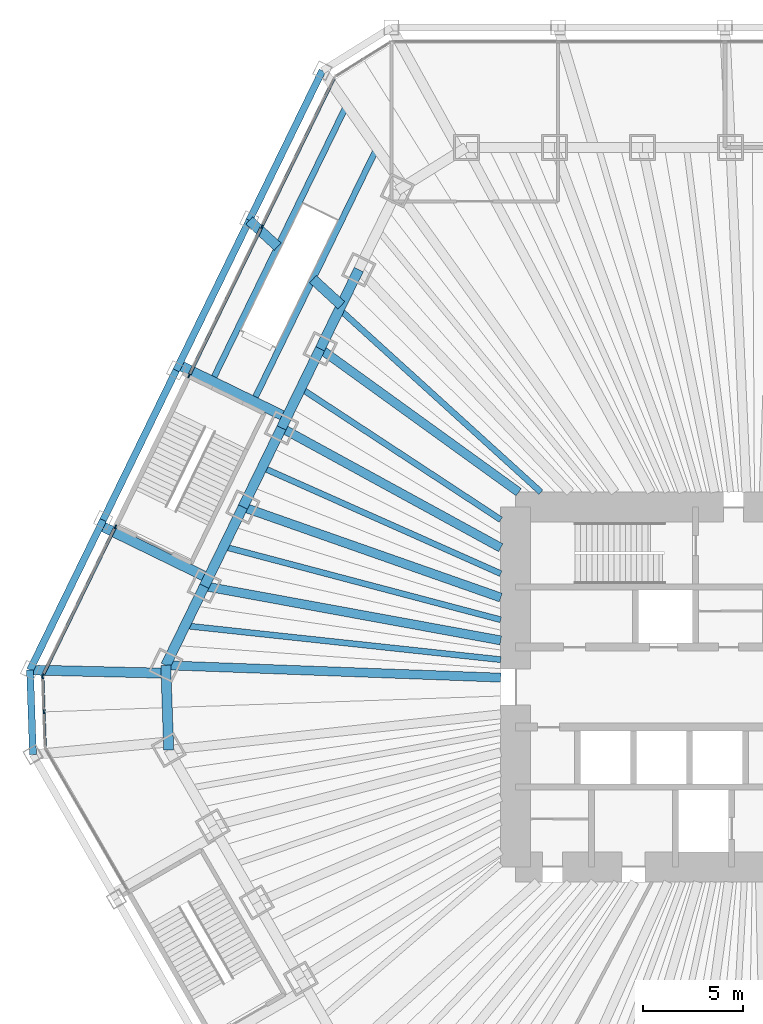
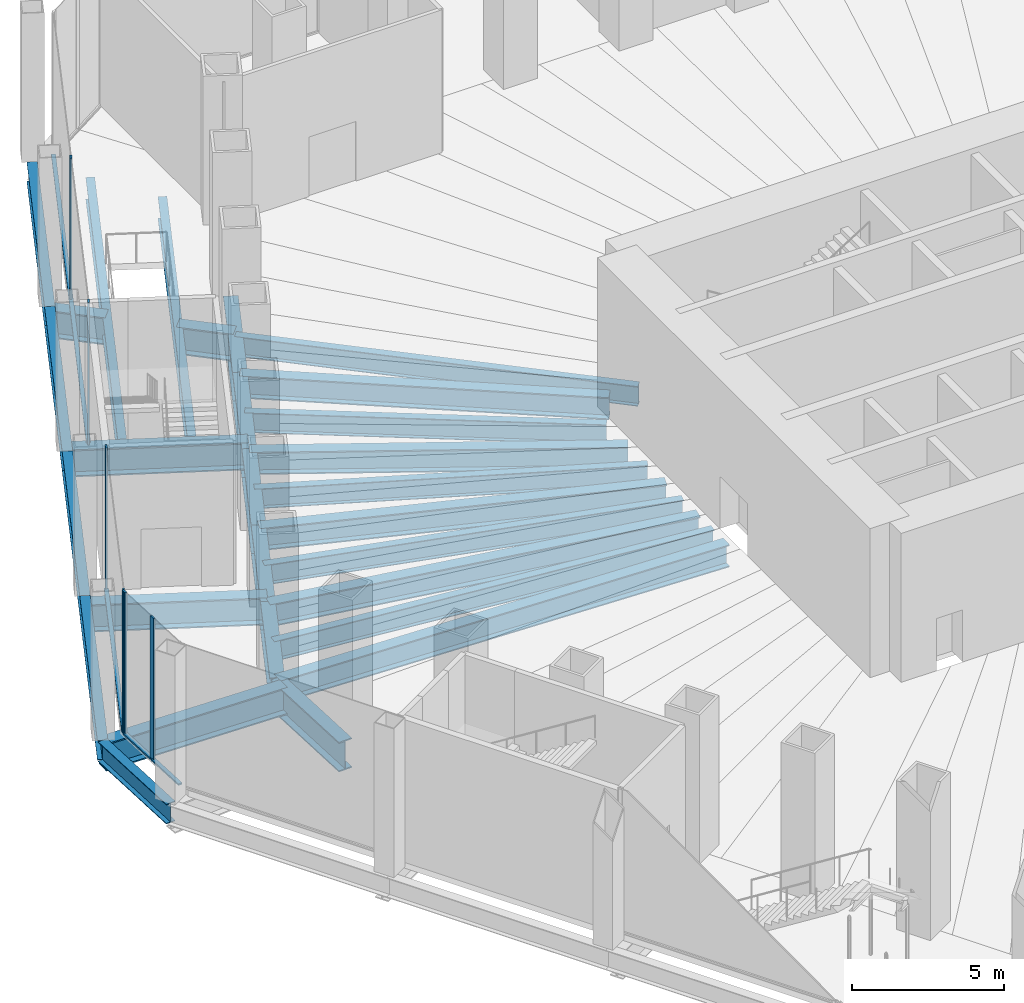
# One storey, part 9 of 23: 28 beams, 11 members, 3 elements without a shape of their own.
"""IFC4 building model written with IfcOpenShell, lengths in metres."""

from ifc_helpers import new_model, si_unit, direction, frame, origin, origin_2d, place, context, subcontext, project, spatial, rectangle, i_section, extrude, material, material_profile, profile_set, type_object, element, aggregate, save


model = new_model("IFC4")

# Units and contexts
model_context = context("Model", 3, precision=1e-05, world=origin(), true_north=direction((0.0, 1.0)))
body_context = subcontext(model_context, "Body", "Model", "MODEL_VIEW")
ifc_project = project(units=[si_unit("LENGTHUNIT", "METRE"), si_unit("AREAUNIT", "SQUARE_METRE"), si_unit("VOLUMEUNIT", "CUBIC_METRE"), si_unit("PLANEANGLEUNIT", "RADIAN"), si_unit("MASSUNIT", "GRAM", prefix="KILO")], contexts=[model_context])

# Site, building, storey
site_placement = place(None, origin())
site = spatial("IfcSite", under=ifc_project, at=site_placement, CompositionType="ELEMENT")
building_placement = place(site_placement, origin())
building = spatial("IfcBuilding", under=site, at=building_placement, Name="Qingtian Harvest Tower", CompositionType="ELEMENT")
storey_placement = place(building_placement, frame((0.0, 0.0, 6.0)))
storey = spatial("IfcBuildingStorey", under=building, at=storey_placement, Name="L01", CompositionType="ELEMENT", Elevation=6.0)

# Beams
ifc_material_1 = material(Name="Steel SM570MC", Category="steel")
ifc_material_profile_1 = material_profile(ifc_material_1, i_section(OverallWidth=0.449951171875, OverallDepth=0.89990234375, WebThickness=0.02197265625, FlangeThickness=0.044921875, at=origin_2d()), Name="H900x450x22x45")
ifc_profile_set_1 = profile_set([ifc_material_profile_1], Name="Steel SM570MC")
beam_type_1 = type_object("IfcBeamType", Name="Floor beam FB5 H900x450x22x45", PredefinedType="BEAM", material=ifc_profile_set_1)
beam_1_placement = place(storey_placement, frame((-29.5087890625, 1.08984375, -0.699951171875), z_axis=(0.999318796571, -0.036904509488, 0.0), x_axis=(0.036904509488, 0.999318796571, 0.0)))
element("IfcBeam", 1, at=beam_1_placement, inside=storey, type_object=beam_type_1, Name="Floor beam FB5 NW0", PredefinedType="BEAM", context=body_context, shape_type="SweptSolid", body=[
    extrude(i_section(OverallWidth=0.449951171875, OverallDepth=0.89990234375, WebThickness=0.02197265625, FlangeThickness=0.044921875, at=origin_2d()), origin(), (0.0, 0.0, 1.0), 16.770263671875),
])
beam_2_placement = place(storey_placement, frame((-27.577880859375, 5.048828125, -0.699951171875), z_axis=(0.98365177106, -0.180081074215, 0.0), x_axis=(0.180081074215, 0.98365177106, 0.0)))
element("IfcBeam", 2, at=beam_2_placement, inside=storey, type_object=beam_type_1, Name="Floor beam FB5 NW1", PredefinedType="BEAM", context=body_context, shape_type="SweptSolid", body=[
    extrude(i_section(OverallWidth=0.449951171875, OverallDepth=0.89990234375, WebThickness=0.02197265625, FlangeThickness=0.044921875, at=origin_2d()), origin(), (0.0, 0.0, 1.0), 15.07421875),
])
beam_3_placement = place(storey_placement, frame((-25.64697265625, 9.007568359375, -0.699951171875), z_axis=(0.943501950009, -0.331366972296, 0.0), x_axis=(0.331366972296, 0.943501950009, 0.0)))
element("IfcBeam", 3, at=beam_3_placement, inside=storey, type_object=beam_type_1, Name="Floor beam FB5 NW2", PredefinedType="BEAM", context=body_context, shape_type="SweptSolid", body=[
    extrude(i_section(OverallWidth=0.449951171875, OverallDepth=0.89990234375, WebThickness=0.02197265625, FlangeThickness=0.044921875, at=origin_2d()), origin(), (0.0, 0.0, 1.0), 13.669189453125),
])
beam_4_placement = place(storey_placement, frame((-23.716064453125, 12.96630859375, -0.699951171875), z_axis=(0.877428569154, -0.479707312882, 0.0), x_axis=(0.479707312882, 0.877428569154, 0.0)))
element("IfcBeam", 4, at=beam_4_placement, inside=storey, type_object=beam_type_1, Name="Floor beam FB5 NW3", PredefinedType="BEAM", context=body_context, shape_type="SweptSolid", body=[
    extrude(i_section(OverallWidth=0.449951171875, OverallDepth=0.89990234375, WebThickness=0.02197265625, FlangeThickness=0.044921875, at=origin_2d()), origin(), (0.0, 0.0, 1.0), 12.498046875),
])
beam_5_placement = place(storey_placement, frame((-21.78515625, 16.92529296875, -0.699951171875), z_axis=(0.810680279019, -0.585489099139, 0.0), x_axis=(0.585489099139, 0.810680279019, 0.0)))
element("IfcBeam", 5, at=beam_5_placement, inside=storey, type_object=beam_type_1, Name="Floor beam FB5 NW4", PredefinedType="BEAM", context=body_context, shape_type="SweptSolid", body=[
    extrude(i_section(OverallWidth=0.449951171875, OverallDepth=0.89990234375, WebThickness=0.02197265625, FlangeThickness=0.044921875, at=origin_2d()), origin(), (0.0, 0.0, 1.0), 12.255126953125),
])
ifc_material_2 = material(Name="Steel SM570MC", Category="steel")
ifc_material_profile_2 = material_profile(ifc_material_2, i_section(OverallWidth=0.5, OverallDepth=1.10009765625, WebThickness=0.02490234375, FlangeThickness=0.050048828125, at=origin_2d()), Name="H1100x500x25x50")
ifc_profile_set_2 = profile_set([ifc_material_profile_2], Name="Steel SM570MC")
beam_type_2 = type_object("IfcBeamType", Name="Floor beam FB6 H1100x500x25x50", PredefinedType="BEAM", material=ifc_profile_set_2)
beam_6_placement = place(storey_placement, frame((-36.300048828125, 0.852783203125, -0.800048828125), z_axis=(0.999724022167, -0.023492115754, 0.0), x_axis=(0.023492115754, 0.999724022167, 0.0)))
element("IfcBeam", 6, at=beam_6_placement, inside=storey, type_object=beam_type_2, Name="Podium floor beam FB6 NW0", PredefinedType="BEAM", context=body_context, shape_type="SweptSolid", body=[
    extrude(i_section(OverallWidth=0.5, OverallDepth=1.10009765625, WebThickness=0.02490234375, FlangeThickness=0.050048828125, at=origin_2d()), origin(), (0.0, 0.0, 1.0), 6.80712890625),
])
beam_7_placement = place(storey_placement, frame((-32.774658203125, 8.08056640625, -0.800048828125), z_axis=(0.898802465371, -0.438353884714, 0.0), x_axis=(0.438353884714, 0.898802465371, 0.0)))
element("IfcBeam", 7, at=beam_7_placement, inside=storey, type_object=beam_type_2, Name="Podium floor beam FB6 NW1", PredefinedType="BEAM", context=body_context, shape_type="SweptSolid", body=[
    extrude(i_section(OverallWidth=0.5, OverallDepth=1.10009765625, WebThickness=0.02490234375, FlangeThickness=0.050048828125, at=origin_2d()), origin(), (0.0, 0.0, 1.0), 6.0),
])
beam_8_placement = place(storey_placement, frame((-28.854736328125, 16.117431640625, -0.800048828125), z_axis=(0.898794646181, -0.438369916847, 0.0), x_axis=(0.438369916847, 0.898794646181, 0.0)))
element("IfcBeam", 8, at=beam_8_placement, inside=storey, type_object=beam_type_2, Name="Podium floor beam FB6 NW2", PredefinedType="BEAM", context=body_context, shape_type="SweptSolid", body=[
    extrude(i_section(OverallWidth=0.5, OverallDepth=1.10009765625, WebThickness=0.02490234375, FlangeThickness=0.050048828125, at=origin_2d()), origin(), (0.0, 0.0, 1.0), 5.999755859375),
])
beam_9_placement = place(storey_placement, frame((-25.32958984375, 23.345458984375, -0.800048828125), z_axis=(0.735278179195, -0.677765445563, 0.0), x_axis=(0.677765445563, 0.735278179195, 0.0)))
element("IfcBeam", 9, at=beam_9_placement, inside=storey, type_object=beam_type_2, Name="Podium floor beam FB6 NW3", PredefinedType="BEAM", context=body_context, shape_type="SweptSolid", body=[
    extrude(i_section(OverallWidth=0.5, OverallDepth=1.10009765625, WebThickness=0.02490234375, FlangeThickness=0.050048828125, at=origin_2d()), origin(), (0.0, 0.0, 1.0), 1.931396484375),
])
beam_10_placement = place(storey_placement, frame((-22.143798828125, 20.4091796875, -0.800048828125), z_axis=(0.735351053283, -0.677686379113, 0.0), x_axis=(0.677686379113, 0.735351053283, 0.0)))
element("IfcBeam", 10, at=beam_10_placement, inside=storey, type_object=beam_type_2, Name="Podium floor beam FB6 NW3 (beyond opening)", PredefinedType="BEAM", context=body_context, shape_type="SweptSolid", body=[
    extrude(i_section(OverallWidth=0.5, OverallDepth=1.10009765625, WebThickness=0.02490234375, FlangeThickness=0.050048828125, at=origin_2d()), origin(), (0.0, 0.0, 1.0), 1.9306640625),
])
ifc_material_3 = material(Name="Steel SN490B", Category="steel")
ifc_material_profile_3 = material_profile(ifc_material_3, i_section(OverallWidth=0.300048828125, OverallDepth=0.800048828125, WebThickness=0.013916015625, FlangeThickness=0.02587890625, at=origin_2d()), Name="H800x300x14x26")
ifc_profile_set_3 = profile_set([ifc_material_profile_3], Name="Steel SN490B")
beam_type_3 = type_object("IfcBeamType", Name="Floor joist J1 H800x300x14x26", PredefinedType="JOIST", material=ifc_profile_set_3)
beam_11_placement = place(storey_placement, frame((-28.543212890625, 3.0693359375, -0.64990234375), z_axis=(0.994268320665, -0.106913546948, 0.0), x_axis=(0.106913546948, 0.994268320665, 0.0)))
element("IfcBeam", 11, at=beam_11_placement, inside=storey, type_object=beam_type_3, Name="Floor joist J1 NW0", PredefinedType="JOIST", context=body_context, shape_type="SweptSolid", body=[
    extrude(i_section(OverallWidth=0.300048828125, OverallDepth=0.800048828125, WebThickness=0.013916015625, FlangeThickness=0.02587890625, at=origin_2d()), origin(), (0.0, 0.0, 1.0), 15.88427734375),
])
beam_12_placement = place(storey_placement, frame((-26.6123046875, 7.028076171875, -0.64990234375), z_axis=(0.966852496992, -0.255335561684, 0.0), x_axis=(0.255335561684, 0.966852496992, 0.0)))
element("IfcBeam", 12, at=beam_12_placement, inside=storey, type_object=beam_type_3, Name="Floor joist J1 NW1", PredefinedType="JOIST", context=body_context, shape_type="SweptSolid", body=[
    extrude(i_section(OverallWidth=0.300048828125, OverallDepth=0.800048828125, WebThickness=0.013916015625, FlangeThickness=0.02587890625, at=origin_2d()), origin(), (0.0, 0.0, 1.0), 14.337646484375),
])
beam_13_placement = place(storey_placement, frame((-24.681640625, 10.987060546875, -0.64990234375), z_axis=(0.913567796195, -0.406686466157, 0.0), x_axis=(0.406686466157, 0.913567796195, 0.0)))
element("IfcBeam", 13, at=beam_13_placement, inside=storey, type_object=beam_type_3, Name="Floor joist J1 NW2", PredefinedType="JOIST", context=body_context, shape_type="SweptSolid", body=[
    extrude(i_section(OverallWidth=0.300048828125, OverallDepth=0.800048828125, WebThickness=0.013916015625, FlangeThickness=0.02587890625, at=origin_2d()), origin(), (0.0, 0.0, 1.0), 13.060546875),
])
beam_14_placement = place(storey_placement, frame((-22.750732421875, 14.94580078125, -0.64990234375), z_axis=(0.835785467613, -0.549056146607, 0.0), x_axis=(0.549056146607, 0.835785467613, 0.0)))
element("IfcBeam", 14, at=beam_14_placement, inside=storey, type_object=beam_type_3, Name="Floor joist J1 NW3", PredefinedType="JOIST", context=body_context, shape_type="SweptSolid", body=[
    extrude(i_section(OverallWidth=0.300048828125, OverallDepth=0.800048828125, WebThickness=0.013916015625, FlangeThickness=0.02587890625, at=origin_2d()), origin(), (0.0, 0.0, 1.0), 11.965576171875),
])
beam_15_placement = place(storey_placement, frame((-20.81982421875, 18.904541015625, -0.64990234375), z_axis=(0.740339866926, -0.672232758381, 0.0), x_axis=(0.672232758381, 0.740339866926, 0.0)))
element("IfcBeam", 15, at=beam_15_placement, inside=storey, type_object=beam_type_3, Name="Floor joist J1 NW4", PredefinedType="JOIST", context=body_context, shape_type="SweptSolid", body=[
    extrude(i_section(OverallWidth=0.300048828125, OverallDepth=0.800048828125, WebThickness=0.013916015625, FlangeThickness=0.02587890625, at=origin_2d()), origin(), (0.0, 0.0, 1.0), 13.6181640625),
])

# Curtain wall, members
ifc_material_4 = material(Name="Bronze-anodised aluminium curtain wall", Category="aluminium")
curtain_wall_type = type_object("IfcCurtainWallType", Name="Curtain wall CW1 podium shopfront", PredefinedType="USERDEFINED", material=ifc_material_4)
curtain_wall_1_placement = place(storey_placement, origin())
curtain_wall_1 = element("IfcCurtainWall", 16, at=curtain_wall_1_placement, inside=storey, type_object=curtain_wall_type, Name="Curtain wall CW1 L01 SWC", ObjectType="RECESSED CURTAIN WALL", PredefinedType="USERDEFINED")
ifc_material_5 = material(Name="Bronze-anodised aluminium mullion", Category="aluminium")
ifc_material_profile_4 = material_profile(ifc_material_5, rectangle(XDim=0.06494140625, YDim=0.199951171875, at=origin_2d()), Name="AL 65x200")
ifc_profile_set_4 = profile_set([ifc_material_profile_4], Name="Bronze-anodised aluminium mullion")
member_type_1 = type_object("IfcMemberType", Name="Mullion CWM 65x200", PredefinedType="MULLION", material=ifc_profile_set_4)
member_1_placement = place(storey_placement, frame((-35.6083984375, -1.243408203125, 0.0), z_axis=(0.0, 0.0, 1.0), x_axis=(-0.999390827019, -0.034899496703, 0.0)))
member_1 = element("IfcMember", 17, at=member_1_placement, type_object=member_type_1, Name="CW1 mullion 2", PredefinedType="MULLION", context=body_context, shape_type="SweptSolid", body=[
    extrude(rectangle(XDim=0.06494140625, YDim=0.199951171875, at=origin_2d()), origin(), (0.0, 0.0, 1.0), 5.75),
])
member_2_placement = place(storey_placement, frame((-35.669677734375, 0.513427734375, 0.0), z_axis=(0.0, 0.0, 1.0), x_axis=(-0.999390827019, -0.034899496703, 0.0)))
member_2 = element("IfcMember", 18, at=member_2_placement, type_object=member_type_1, Name="CW1 mullion 3", PredefinedType="MULLION", context=body_context, shape_type="SweptSolid", body=[
    extrude(rectangle(XDim=0.06494140625, YDim=0.199951171875, at=origin_2d()), origin(), (0.0, 0.0, 1.0), 5.75),
])

curtain_wall_2_placement = place(storey_placement, origin())
curtain_wall_2 = element("IfcCurtainWall", 19, at=curtain_wall_2_placement, inside=storey, type_object=curtain_wall_type, Name="Curtain wall CW1 L01 NW0", ObjectType="RECESSED CURTAIN WALL", PredefinedType="USERDEFINED")
member_3_placement = place(storey_placement, frame((-35.656494140625, 0.5751953125, 0.0), z_axis=(0.0, 0.0, 1.0), x_axis=(-0.898794046299, 0.438371146789, 0.0)))
member_3 = element("IfcMember", 20, at=member_3_placement, type_object=member_type_1, Name="CW1 mullion 1", PredefinedType="MULLION", context=body_context, shape_type="SweptSolid", body=[
    extrude(rectangle(XDim=0.06494140625, YDim=0.199951171875, at=origin_2d()), origin(), (0.0, 0.0, 1.0), 5.75),
])
member_4_placement = place(storey_placement, frame((-32.0283203125, 8.01416015625, 0.0), z_axis=(0.0, 0.0, 1.0), x_axis=(-0.898794046299, 0.438371146789, 0.0)))
member_4 = element("IfcMember", 21, at=member_4_placement, type_object=member_type_1, Name="CW1 mullion 2", PredefinedType="MULLION", context=body_context, shape_type="SweptSolid", body=[
    extrude(rectangle(XDim=0.06494140625, YDim=0.199951171875, at=origin_2d()), origin(), (0.0, 0.0, 1.0), 5.75),
])

curtain_wall_3_placement = place(storey_placement, origin())
curtain_wall_3 = element("IfcCurtainWall", 22, at=curtain_wall_3_placement, inside=storey, type_object=curtain_wall_type, Name="Curtain wall CW1 L01 NW2-3", ObjectType="RECESSED CURTAIN WALL", PredefinedType="USERDEFINED")
member_5_placement = place(storey_placement, frame((-28.343017578125, 15.570068359375, 0.0), z_axis=(0.0, 0.0, 1.0), x_axis=(-0.898794046299, 0.438371146789, 0.0)))
member_5 = element("IfcMember", 23, at=member_5_placement, type_object=member_type_1, Name="CW1 mullion 1", PredefinedType="MULLION", context=body_context, shape_type="SweptSolid", body=[
    extrude(rectangle(XDim=0.06494140625, YDim=0.199951171875, at=origin_2d()), origin(), (0.0, 0.0, 1.0), 5.75),
])
member_6_placement = place(storey_placement, frame((-24.700439453125, 23.03857421875, 0.0), z_axis=(0.0, 0.0, 1.0), x_axis=(-0.898794046299, 0.438371146789, 0.0)))
member_6 = element("IfcMember", 24, at=member_6_placement, type_object=member_type_1, Name="CW1 mullion 2", PredefinedType="MULLION", context=body_context, shape_type="SweptSolid", body=[
    extrude(rectangle(XDim=0.06494140625, YDim=0.199951171875, at=origin_2d()), origin(), (0.0, 0.0, 1.0), 5.75),
])

# Beams
ifc_material_6 = material(Name="Steel SN490B", Category="steel")
ifc_material_profile_5 = material_profile(ifc_material_6, i_section(OverallWidth=0.35009765625, OverallDepth=0.800048828125, WebThickness=0.01611328125, FlangeThickness=0.028076171875, at=origin_2d()), Name="H800x350x16x28")
ifc_profile_set_5 = profile_set([ifc_material_profile_5], Name="Steel SN490B")
beam_type_4 = type_object("IfcBeamType", Name="Podium beam PB1 H800x350x16x28", PredefinedType="BEAM", material=ifc_profile_set_5)
beam_16_placement = place(storey_placement, frame((-36.152099609375, -3.3828125, -0.64990234375), z_axis=(-0.034908677553, 0.999390506375, 0.0), x_axis=(-0.999390506375, -0.034908677553, 0.0)))
element("IfcBeam", 25, at=beam_16_placement, inside=storey, type_object=beam_type_4, Name="Podium edge beam PB1 SW4", PredefinedType="BEAM", context=body_context, shape_type="SweptSolid", body=[
    extrude(i_section(OverallWidth=0.35009765625, OverallDepth=0.800048828125, WebThickness=0.01611328125, FlangeThickness=0.028076171875, at=origin_2d()), origin(), (0.0, 0.0, 1.0), 4.23828125),
])
for number, where, z_axis, x_axis, name in (
    (26, (-36.300048828125, 0.852783203125, -0.64990234375), (0.438388457998, 0.898785602852, 0.0), (-0.898785602852, 0.438388457998, 0.0), "Podium edge beam PB1 NW0"),
    (27, (-32.64306640625, 8.350341796875, -0.64990234375), (0.438364815309, 0.898797134341, 0.0), (-0.898797134341, 0.438364815309, 0.0), "Podium edge beam PB1 NW1"),
    (28, (-28.986328125, 15.847900390625, -0.64990234375), (0.438364815309, 0.898797134341, 0.0), (-0.898797134341, 0.438364815309, 0.0), "Podium edge beam PB1 NW2"),
):
    element("IfcBeam", number, at=place(storey_placement, frame(where, z_axis=z_axis, x_axis=x_axis)), inside=storey, type_object=beam_type_4, Name=name, PredefinedType="BEAM", context=body_context, shape_type="SweptSolid", body=[
        extrude(i_section(OverallWidth=0.35009765625, OverallDepth=0.800048828125, WebThickness=0.01611328125, FlangeThickness=0.028076171875, at=origin_2d()), origin(), (0.0, 0.0, 1.0), 8.341796875),
    ])
beam_17_placement = place(storey_placement, frame((-25.32958984375, 23.345458984375, -0.64990234375), z_axis=(0.438376346902, 0.898791510016, 0.0), x_axis=(-0.898791510016, 0.438376346902, 0.0)))
element("IfcBeam", 29, at=beam_17_placement, inside=storey, type_object=beam_type_4, Name="Podium edge beam PB1 NW3", PredefinedType="BEAM", context=body_context, shape_type="SweptSolid", body=[
    extrude(i_section(OverallWidth=0.35009765625, OverallDepth=0.800048828125, WebThickness=0.01611328125, FlangeThickness=0.028076171875, at=origin_2d()), origin(), (0.0, 0.0, 1.0), 8.341552734375),
])
ifc_material_7 = material(Name="Steel SM570MC", Category="steel")
ifc_material_profile_6 = material_profile(ifc_material_7, i_section(OverallWidth=0.5, OverallDepth=1.199951171875, WebThickness=0.02490234375, FlangeThickness=0.050048828125, at=origin_2d()), Name="H1200x500x25x50")
ifc_profile_set_6 = profile_set([ifc_material_profile_6], Name="Steel SM570MC")
beam_type_5 = type_object("IfcBeamType", Name="Spandrel beam SB1 H1200x500x25x50", PredefinedType="SPANDREL", material=ifc_profile_set_6)
beam_18_placement = place(storey_placement, frame((-29.36083984375, -3.145751953125, -0.85009765625), z_axis=(-0.034908677553, 0.999390506375, 0.0), x_axis=(-0.999390506375, -0.034908677553, 0.0)))
element("IfcBeam", 30, at=beam_18_placement, inside=storey, type_object=beam_type_5, Name="Spandrel SB1 SWC", PredefinedType="SPANDREL", context=body_context, shape_type="SweptSolid", body=[
    extrude(i_section(OverallWidth=0.5, OverallDepth=1.199951171875, WebThickness=0.02490234375, FlangeThickness=0.050048828125, at=origin_2d()), origin(), (0.0, 0.0, 1.0), 4.23828125),
])
beam_19_placement = place(storey_placement, frame((-29.5087890625, 1.08984375, -0.85009765625), z_axis=(0.438367938366, 0.898795611145, 0.0), x_axis=(-0.898795611145, 0.438367938366, 0.0)))
element("IfcBeam", 31, at=beam_19_placement, inside=storey, type_object=beam_type_5, Name="Spandrel SB1 NW0", PredefinedType="SPANDREL", context=body_context, shape_type="SweptSolid", body=[
    extrude(i_section(OverallWidth=0.5, OverallDepth=1.199951171875, WebThickness=0.02490234375, FlangeThickness=0.050048828125, at=origin_2d()), origin(), (0.0, 0.0, 1.0), 4.40478515625),
])
for number, where, z_axis, x_axis, name in (
    (32, (-27.577880859375, 5.048828125, -0.85009765625), (0.438389777529, 0.898784959241, 0.0), (-0.898784959241, 0.438389777529, 0.0), "Spandrel SB1 NW1"),
    (33, (-25.64697265625, 9.007568359375, -0.85009765625), (0.438389777529, 0.898784959241, 0.0), (-0.898784959241, 0.438389777529, 0.0), "Spandrel SB1 NW2"),
):
    element("IfcBeam", number, at=place(storey_placement, frame(where, z_axis=z_axis, x_axis=x_axis)), inside=storey, type_object=beam_type_5, Name=name, PredefinedType="SPANDREL", context=body_context, shape_type="SweptSolid", body=[
        extrude(i_section(OverallWidth=0.5, OverallDepth=1.199951171875, WebThickness=0.02490234375, FlangeThickness=0.050048828125, at=origin_2d()), origin(), (0.0, 0.0, 1.0), 4.404541015625),
    ])
beam_20_placement = place(storey_placement, frame((-23.716064453125, 12.96630859375, -0.85009765625), z_axis=(0.438367938366, 0.898795611145, 0.0), x_axis=(-0.898795611145, 0.438367938366, 0.0)))
element("IfcBeam", 34, at=beam_20_placement, inside=storey, type_object=beam_type_5, Name="Spandrel SB1 NW3", PredefinedType="SPANDREL", context=body_context, shape_type="SweptSolid", body=[
    extrude(i_section(OverallWidth=0.5, OverallDepth=1.199951171875, WebThickness=0.02490234375, FlangeThickness=0.050048828125, at=origin_2d()), origin(), (0.0, 0.0, 1.0), 4.40478515625),
])
beam_21_placement = place(storey_placement, frame((-21.78515625, 16.92529296875, -0.85009765625), z_axis=(0.438344999367, 0.898806798778, 0.0), x_axis=(-0.898806798778, 0.438344999367, 0.0)))
element("IfcBeam", 35, at=beam_21_placement, inside=storey, type_object=beam_type_5, Name="Spandrel SB1 NW4", PredefinedType="SPANDREL", context=body_context, shape_type="SweptSolid", body=[
    extrude(i_section(OverallWidth=0.5, OverallDepth=1.199951171875, WebThickness=0.02490234375, FlangeThickness=0.050048828125, at=origin_2d()), origin(), (0.0, 0.0, 1.0), 4.404541015625),
])

# Member
ifc_material_8 = material(Name="Bronze-anodised aluminium transom", Category="aluminium")
ifc_material_profile_7 = material_profile(ifc_material_8, rectangle(XDim=0.14990234375, YDim=0.06494140625, at=origin_2d()), Name="AL 65x150")
ifc_profile_set_7 = profile_set([ifc_material_profile_7], Name="Bronze-anodised aluminium transom")
member_type_2 = type_object("IfcMemberType", Name="Transom CWT 65x150", PredefinedType="USERDEFINED", material=ifc_profile_set_7)
member_7_placement = place(storey_placement, frame((-35.548095703125, -2.9677734375, 0.032470703125), z_axis=(-0.034899362377, 0.99939083171, 0.0), x_axis=(-0.99939083171, -0.034899362377, 0.0)))
member_7 = element("IfcMember", 36, at=member_7_placement, type_object=member_type_2, Name="CW1 transom 1.1", ObjectType="TRANSOM", PredefinedType="USERDEFINED", context=body_context, shape_type="SweptSolid", body=[
    extrude(rectangle(XDim=0.14990234375, YDim=0.06494140625, at=origin_2d()), origin(), (0.0, 0.0, 1.0), 1.69287109375),
])

member_8_placement = place(storey_placement, frame((-35.609375, -1.2109375, 0.032470703125), z_axis=(-0.034899362377, 0.99939083171, 0.0), x_axis=(-0.99939083171, -0.034899362377, 0.0)))
member_8 = element("IfcMember", 37, at=member_8_placement, type_object=member_type_2, Name="CW1 transom 2.1", ObjectType="TRANSOM", PredefinedType="USERDEFINED", context=body_context, shape_type="SweptSolid", body=[
    extrude(rectangle(XDim=0.14990234375, YDim=0.06494140625, at=origin_2d()), origin(), (0.0, 0.0, 1.0), 1.69287109375),
])

aggregate(curtain_wall_1, [member_1, member_2, member_7, member_8])

member_9_placement = place(storey_placement, frame((-35.642333984375, 0.604248046875, 0.032470703125), z_axis=(0.43836798576, 0.898795588029, 0.0), x_axis=(-0.898795588029, 0.43836798576, 0.0)))
member_9 = element("IfcMember", 38, at=member_9_placement, type_object=member_type_2, Name="CW1 transom 1.1", ObjectType="TRANSOM", PredefinedType="USERDEFINED", context=body_context, shape_type="SweptSolid", body=[
    extrude(rectangle(XDim=0.14990234375, YDim=0.06494140625, at=origin_2d()), origin(), (0.0, 0.0, 1.0), 8.2119140625),
])

aggregate(curtain_wall_2, [member_3, member_4, member_9])

member_10_placement = place(storey_placement, frame((-28.32861328125, 15.599365234375, 0.032470703125), z_axis=(0.438367036987, 0.898796050772, 0.0), x_axis=(-0.898796050772, 0.438367036987, 0.0)))
member_10 = element("IfcMember", 39, at=member_10_placement, type_object=member_type_2, Name="CW1 transom 1.1", ObjectType="TRANSOM", PredefinedType="USERDEFINED", context=body_context, shape_type="SweptSolid", body=[
    extrude(rectangle(XDim=0.14990234375, YDim=0.06494140625, at=origin_2d()), origin(), (0.0, 0.0, 1.0), 8.244384765625),
])

member_11_placement = place(storey_placement, frame((-24.686279296875, 23.067626953125, 0.032470703125), z_axis=(0.438390959236, 0.898784382853, 0.0), x_axis=(-0.898784382853, 0.438390959236, 0.0)))
member_11 = element("IfcMember", 40, at=member_11_placement, type_object=member_type_2, Name="CW1 transom 2.1", ObjectType="TRANSOM", PredefinedType="USERDEFINED", context=body_context, shape_type="SweptSolid", body=[
    extrude(rectangle(XDim=0.14990234375, YDim=0.06494140625, at=origin_2d()), origin(), (0.0, 0.0, 1.0), 8.244384765625),
])

aggregate(curtain_wall_3, [member_5, member_6, member_10, member_11])

# Beams
ifc_material_9 = material(Name="Steel SN490B", Category="steel")
ifc_material_profile_8 = material_profile(ifc_material_9, i_section(OverallWidth=0.300048828125, OverallDepth=0.89990234375, WebThickness=0.01611328125, FlangeThickness=0.028076171875, at=origin_2d()), Name="H900x300x16x28")
ifc_profile_set_8 = profile_set([ifc_material_profile_8], Name="Steel SN490B")
beam_type_6 = type_object("IfcBeamType", Name="Trimmer beam TB1 H900x300x16x28", PredefinedType="BEAM", material=ifc_profile_set_8)
beam_22_placement = place(storey_placement, frame((-20.45751953125, 29.113525390625, -0.699951171875), z_axis=(-0.438368209137, -0.898795479082, 0.0), x_axis=(0.898795479082, -0.438368209137, 0.0)))
element("IfcBeam", 41, at=beam_22_placement, inside=storey, type_object=beam_type_6, Name="Trimmer beam TB1 FS2 1", PredefinedType="BEAM", context=body_context, shape_type="SweptSolid", body=[
    extrude(i_section(OverallWidth=0.300048828125, OverallDepth=0.89990234375, WebThickness=0.01611328125, FlangeThickness=0.028076171875, at=origin_2d()), origin(), (0.0, 0.0, 1.0), 15.36181640625),
])
beam_23_placement = place(storey_placement, frame((-18.947021484375, 26.9638671875, -0.699951171875), z_axis=(-0.438370041671, -0.8987945853, 0.0), x_axis=(0.8987945853, -0.438370041671, 0.0)))
element("IfcBeam", 42, at=beam_23_placement, inside=storey, type_object=beam_type_6, Name="Trimmer beam TB1 FS2 2", PredefinedType="BEAM", context=body_context, shape_type="SweptSolid", body=[
    extrude(i_section(OverallWidth=0.300048828125, OverallDepth=0.89990234375, WebThickness=0.01611328125, FlangeThickness=0.028076171875, at=origin_2d()), origin(), (0.0, 0.0, 1.0), 14.092041015625),
])

save(model, "model.ifc")
